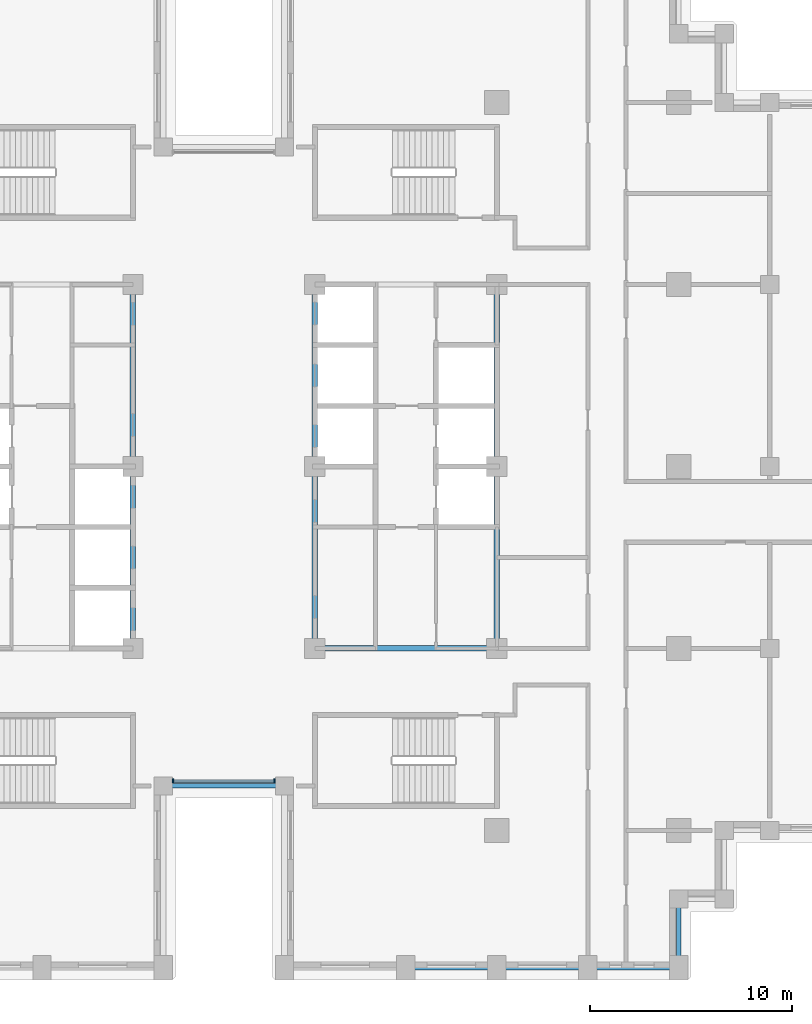
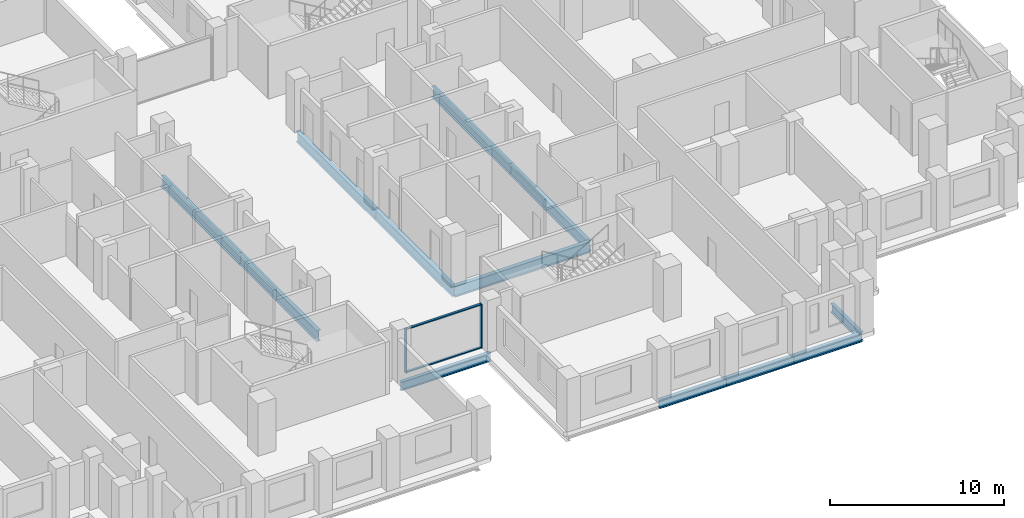
# One storey, part 2 of 15: 12 beams, 4 members, 1 element without a shape of its own.
"""IFC4 building model written with IfcOpenShell, lengths in metres."""

from ifc_helpers import new_model, si_unit, direction, frame, origin, origin_2d, place, context, subcontext, project, spatial, rectangle, i_section, extrude, material, layer, layer_set, material_profile, profile_set, type_object, element, aggregate, save


model = new_model("IFC4")

# Units and contexts
model_context = context("Model", 3, precision=1e-05, world=origin(), true_north=direction((0.0, 1.0)))
body_context = subcontext(model_context, "Body", "Model", "MODEL_VIEW")
ifc_project = project(units=[si_unit("LENGTHUNIT", "METRE"), si_unit("AREAUNIT", "SQUARE_METRE"), si_unit("VOLUMEUNIT", "CUBIC_METRE"), si_unit("PLANEANGLEUNIT", "RADIAN"), si_unit("MASSUNIT", "GRAM", prefix="KILO")], contexts=[model_context])

# Site, building, storey
site_placement = place(None, origin())
site = spatial("IfcSite", under=ifc_project, at=site_placement, CompositionType="ELEMENT")
building_placement = place(site_placement, origin())
building = spatial("IfcBuilding", under=site, at=building_placement, Name="Corbelhall Arena Tower", CompositionType="ELEMENT")
storey_placement = place(building_placement, frame((0.0, 0.0, 100.0)))
storey = spatial("IfcBuildingStorey", under=building, at=storey_placement, Name="L17", CompositionType="ELEMENT", Elevation=100.0)

# Curtain wall, members
ifc_material_1 = material(Name="Aluminium black anodised", Category="aluminium")
ifc_layer = layer(ifc_material_1, 0.199951171875)
ifc_layer_set = layer_set([ifc_layer], Name="EV-CW1 Slot back wall")
curtain_wall_type = type_object("IfcCurtainWallType", Name="EV-CW1 Slot back wall", PredefinedType="NOTDEFINED", material=ifc_layer_set)
curtain_wall_placement = place(storey_placement, origin())
curtain_wall = element("IfcCurtainWall", 1, at=curtain_wall_placement, inside=storey, type_object=curtain_wall_type, Name="Curtain wall CW1", PredefinedType="NOTDEFINED")
ifc_material_profile_1 = material_profile(ifc_material_1, rectangle(XDim=0.199951171875, YDim=0.074951171875, at=origin_2d()))
ifc_profile_set_1 = profile_set([ifc_material_profile_1], Name="Aluminium black anodised")
member_type_1 = type_object("IfcMemberType", Name="EV-CW1-MULLION", PredefinedType="MULLION", material=ifc_profile_set_1)
member_1_placement = place(storey_placement, frame((-2.512451171875, -15.550048828125, 0.0), z_axis=(0.0, 0.0, 1.0), x_axis=(0.0, 1.0, 0.0)))
member_1 = element("IfcMember", 2, at=member_1_placement, type_object=member_type_1, Name="CW1 mullion 1", PredefinedType="MULLION", context=body_context, shape_type="SweptSolid", body=[
    extrude(rectangle(XDim=0.199951171875, YDim=0.074951171875, at=origin_2d()), origin(), (0.0, 0.0, 1.0), 3.10009765625),
])
member_2_placement = place(storey_placement, frame((2.512451171875, -15.550048828125, 0.0), z_axis=(0.0, 0.0, 1.0), x_axis=(0.0, 1.0, 0.0)))
member_2 = element("IfcMember", 3, at=member_2_placement, type_object=member_type_1, Name="CW1 mullion 2", PredefinedType="MULLION", context=body_context, shape_type="SweptSolid", body=[
    extrude(rectangle(XDim=0.199951171875, YDim=0.074951171875, at=origin_2d()), origin(), (0.0, 0.0, 1.0), 3.10009765625),
])
ifc_material_profile_2 = material_profile(ifc_material_1, rectangle(XDim=0.14990234375, YDim=0.074951171875, at=origin_2d()))
ifc_profile_set_2 = profile_set([ifc_material_profile_2], Name="Aluminium black anodised")
member_type_2 = type_object("IfcMemberType", Name="EV-CW1-TRANSOM", PredefinedType="USERDEFINED", material=ifc_profile_set_2)
member_3_placement = place(storey_placement, frame((-2.47509765625, -15.550048828125, 0.03759765625), z_axis=(1.0, 0.0, 0.0), x_axis=(0.0, 1.0, 0.0)))
member_3 = element("IfcMember", 4, at=member_3_placement, type_object=member_type_2, Name="CW1 transom 1.1", ObjectType="transom", PredefinedType="USERDEFINED", context=body_context, shape_type="SweptSolid", body=[
    extrude(rectangle(XDim=0.14990234375, YDim=0.074951171875, at=origin_2d()), origin(), (0.0, 0.0, 1.0), 4.9501953125),
])
member_4_placement = place(storey_placement, frame((-2.47509765625, -15.550048828125, 3.0625), z_axis=(1.0, 0.0, 0.0), x_axis=(0.0, 1.0, 0.0)))
member_4 = element("IfcMember", 5, at=member_4_placement, type_object=member_type_2, Name="CW1 transom 1.2", ObjectType="transom", PredefinedType="USERDEFINED", context=body_context, shape_type="SweptSolid", body=[
    extrude(rectangle(XDim=0.14990234375, YDim=0.074951171875, at=origin_2d()), origin(), (0.0, 0.0, 1.0), 4.9501953125),
])
aggregate(curtain_wall, [member_1, member_2, member_3, member_4])

# Beams
ifc_material_2 = material(Name="Steel ASTM A992 Gr50", Category="steel")
ifc_material_profile_3 = material_profile(ifc_material_2, i_section(OverallWidth=0.2666015625, OverallDepth=0.761962890625, WebThickness=0.014404296875, FlangeThickness=0.021484375, at=origin_2d()))
ifc_profile_set_3 = profile_set([ifc_material_profile_3], Name="Steel ASTM A992 Gr50")
beam_type_1 = type_object("IfcBeamType", Name="ST-BEAM-W30x116", PredefinedType="BEAM", material=ifc_profile_set_3)
for number, where, z_axis, x_axis, name in (
    (6, (-4.5, -9.0, -0.680908203125), (0.0, 1.0, 0.0), (-1.0, 0.0, 0.0), "Beam CEW 3"),
    (7, (-4.5, 0.0, -0.680908203125), (0.0, 1.0, 0.0), (-1.0, 0.0, 0.0), "Beam CEW 4"),
    (8, (4.5, -9.0, -0.680908203125), (0.0, 1.0, 0.0), (-1.0, 0.0, 0.0), "Beam CEE 7"),
    (9, (4.5, 0.0, -0.680908203125), (0.0, 1.0, 0.0), (-1.0, 0.0, 0.0), "Beam CEE 8"),
    (10, (13.5, -9.0, -0.680908203125), (0.0, 1.0, 0.0), (-1.0, 0.0, 0.0), "Beam CEE 9"),
    (11, (13.5, 0.0, -0.680908203125), (0.0, 1.0, 0.0), (-1.0, 0.0, 0.0), "Beam CEE 10"),
    (12, (4.5, -9.0, -0.680908203125), (1.0, 0.0, 0.0), (0.0, 1.0, 0.0), "Beam CEE 11"),
):
    element("IfcBeam", number, at=place(storey_placement, frame(where, z_axis=z_axis, x_axis=x_axis)), inside=storey, type_object=beam_type_1, Name=name, PredefinedType="BEAM", context=body_context, shape_type="SweptSolid", body=[
        extrude(i_section(OverallWidth=0.2666015625, OverallDepth=0.761962890625, WebThickness=0.014404296875, FlangeThickness=0.021484375, at=origin_2d()), origin(), (0.0, 0.0, 1.0), 9.0),
    ])
ifc_material_profile_4 = material_profile(ifc_material_2, i_section(OverallWidth=0.23046875, OverallDepth=0.6171875, WebThickness=0.01318359375, FlangeThickness=0.022216796875, at=origin_2d()))
ifc_profile_set_4 = profile_set([ifc_material_profile_4], Name="Steel ASTM A992 Gr50")
beam_type_2 = type_object("IfcBeamType", Name="ST-SPANDREL-W24x94", PredefinedType="SPANDREL", material=ifc_profile_set_4)
for number, where, z_axis, x_axis, name in (
    (13, (13.5, -24.800048828125, -0.608642578125), (-1.0, 0.0, 0.0), (0.0, -1.0, 0.0), "Beam SP 29"),
    (14, (18.0, -24.800048828125, -0.608642578125), (-1.0, 0.0, 0.0), (0.0, -1.0, 0.0), "Beam SP 30"),
    (15, (22.5, -24.800048828125, -0.608642578125), (-1.0, 0.0, 0.0), (0.0, -1.0, 0.0), "Beam SP 31"),
):
    element("IfcBeam", number, at=place(storey_placement, frame(where, z_axis=z_axis, x_axis=x_axis)), inside=storey, type_object=beam_type_2, Name=name, PredefinedType="SPANDREL", context=body_context, shape_type="SweptSolid", body=[
        extrude(i_section(OverallWidth=0.23046875, OverallDepth=0.6171875, WebThickness=0.01318359375, FlangeThickness=0.022216796875, at=origin_2d()), origin(), (0.0, 0.0, 1.0), 4.5),
    ])
beam_1_placement = place(storey_placement, frame((3.0, -15.800048828125, -0.608642578125), z_axis=(-1.0, 0.0, 0.0), x_axis=(0.0, -1.0, 0.0)))
element("IfcBeam", 16, at=beam_1_placement, inside=storey, type_object=beam_type_2, Name="Beam SP 41", PredefinedType="SPANDREL", context=body_context, shape_type="SweptSolid", body=[
    extrude(i_section(OverallWidth=0.23046875, OverallDepth=0.6171875, WebThickness=0.01318359375, FlangeThickness=0.022216796875, at=origin_2d()), origin(), (0.0, 0.0, 1.0), 6.0),
])
beam_2_placement = place(storey_placement, frame((22.5, -21.39990234375, -0.608642578125), z_axis=(0.0, -1.0, 0.0), x_axis=(1.0, 0.0, 0.0)))
element("IfcBeam", 17, at=beam_2_placement, inside=storey, type_object=beam_type_2, Name="Beam SP 49", PredefinedType="SPANDREL", context=body_context, shape_type="SweptSolid", body=[
    extrude(i_section(OverallWidth=0.23046875, OverallDepth=0.6171875, WebThickness=0.01318359375, FlangeThickness=0.022216796875, at=origin_2d()), origin(), (0.0, 0.0, 1.0), 3.400146484375),
])

save(model, "model.ifc")
